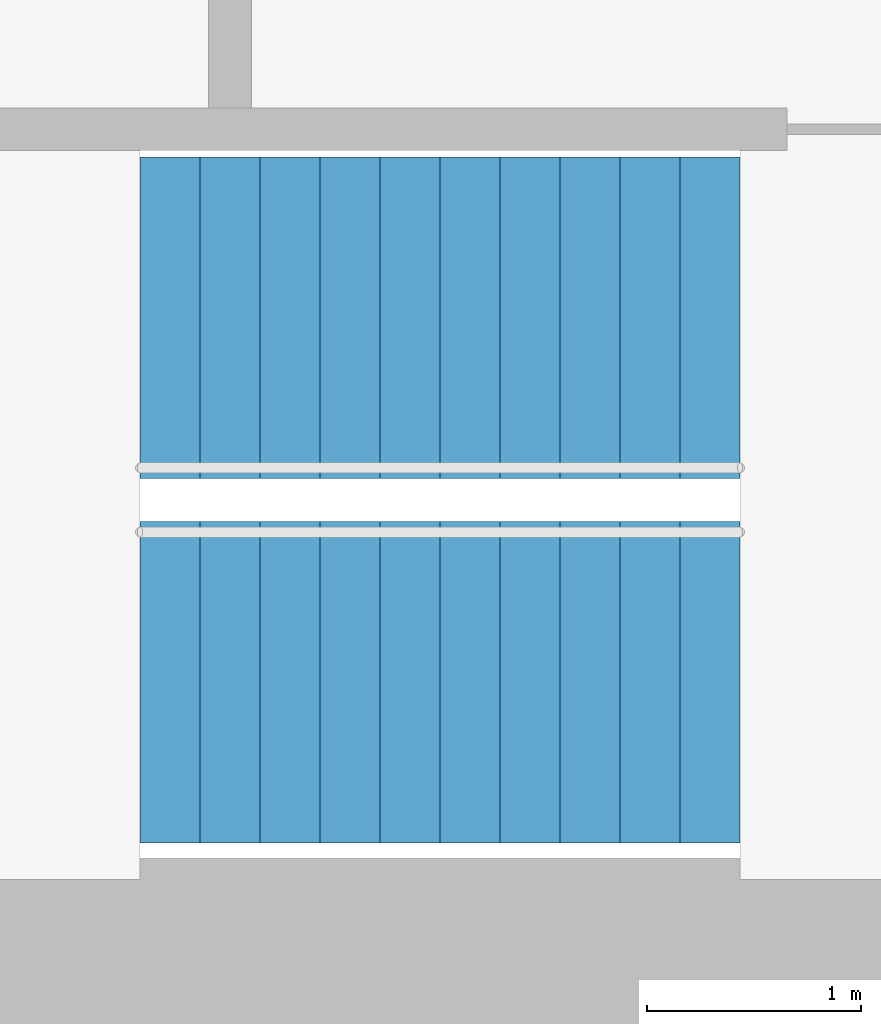
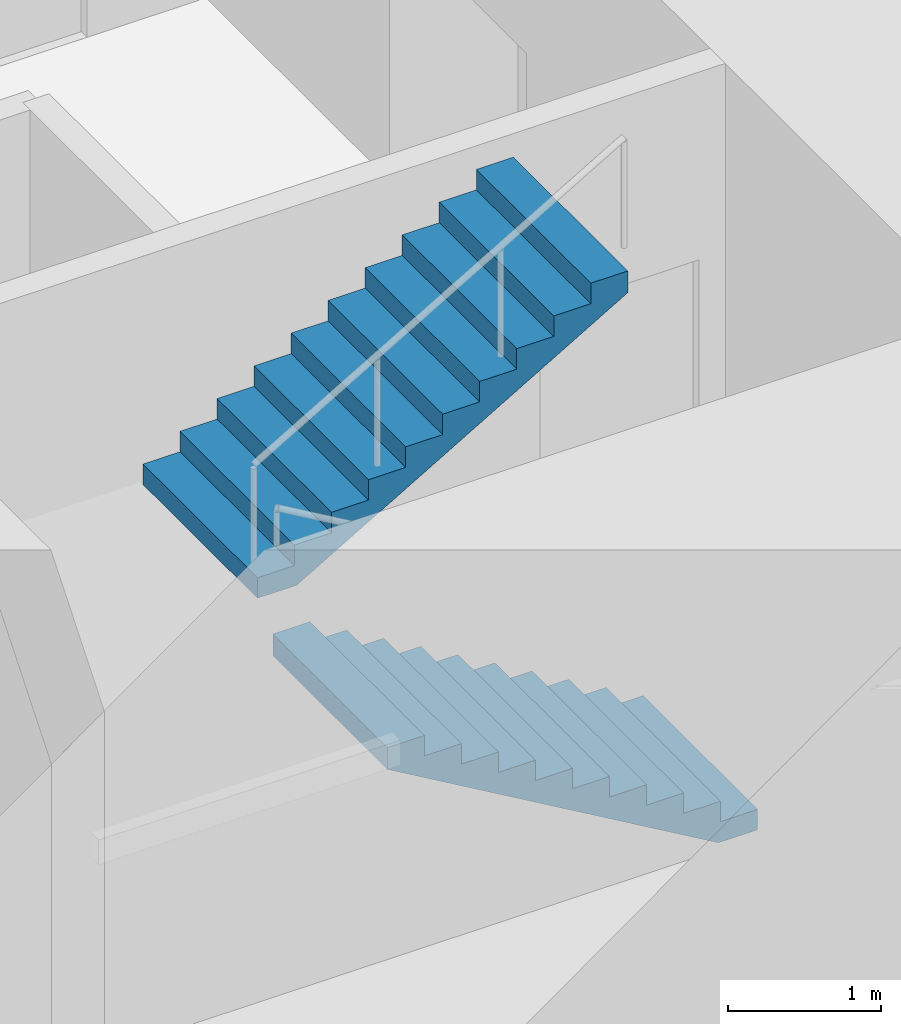
# One storey, part 14 of 15: 2 stair flights, 1 element without a shape of its own.
"""IFC4 building model written with IfcOpenShell, lengths in metres."""

from ifc_helpers import new_model, si_unit, direction, frame, origin, place, context, subcontext, project, spatial, triangles, material, type_object, element, aggregate, save


model = new_model("IFC4")

# Units and contexts
model_context = context("Model", 3, precision=1e-05, world=origin(), true_north=direction((0.0, 1.0)))
body_context = subcontext(model_context, "Body", "Model", "MODEL_VIEW")
ifc_project = project(units=[si_unit("LENGTHUNIT", "METRE"), si_unit("AREAUNIT", "SQUARE_METRE"), si_unit("VOLUMEUNIT", "CUBIC_METRE"), si_unit("PLANEANGLEUNIT", "RADIAN"), si_unit("MASSUNIT", "GRAM", prefix="KILO")], contexts=[model_context])

# Site, building, storey
site_placement = place(None, origin())
site = spatial("IfcSite", under=ifc_project, at=site_placement, CompositionType="ELEMENT")
building_placement = place(site_placement, origin())
building = spatial("IfcBuilding", under=site, at=building_placement, Name="Lantaw Convention Tower", CompositionType="ELEMENT")
storey_placement = place(building_placement, frame((0.0, 0.0, 62.199951171875)))
storey = spatial("IfcBuildingStorey", under=building, at=storey_placement, Name="L13", CompositionType="ELEMENT", Elevation=62.199951171875)

# Stair, stair flights
ifc_material = material(Name="Concrete C35/45", Category="concrete")
stair_type = type_object("IfcStairType", Name="Exit stair 1500 riser 163.64 in 2 flights", PredefinedType="HALF_TURN_STAIR", material=ifc_material)
stair_placement = place(storey_placement, origin())
stair = element("IfcStair", 1, at=stair_placement, inside=storey, type_object=stair_type, Name="Exit stair S2 L13", PredefinedType="HALF_TURN_STAIR")
stair_flight_type = type_object("IfcStairFlightType", Name="Stair flight 1500 riser 163.64", PredefinedType="STRAIGHT", material=ifc_material)
stair_flight_1_placement = place(storey_placement, frame((10.580078125, -5.97998046875, 0.0), z_axis=(0.0, 0.0, 1.0), x_axis=(-1.0, 0.0, 0.0)))
stair_flight_1 = element("IfcStairFlight", 2, at=stair_flight_1_placement, type_object=stair_flight_type, Name="S2 flight 1", NumberOfRisers=11, NumberOfTreads=10, PredefinedType="STRAIGHT", RiserHeight=0.163636364, TreadLength=0.28, context=body_context, shape_type="Tessellation", body=[
    triangles([(0.0, 0.75, 0.0), (0.0, 0.75, 0.163636364), (0.28, 0.75, 0.0), (0.28, 0.75, 0.163636364), (0.28, 0.75, 0.327272728), (0.2970904571225277, 0.75, 0.0), (0.2970904571225277, 0.75, 0.327272728), (0.56, 0.75, 0.1536484344906131), (0.56, 0.75, 0.327272728), (0.56, 0.75, 0.490909092), (0.8400000000000001, 0.75, 0.3172847984906131), (0.8400000000000001, 0.75, 0.490909092), (0.8400000000000001, 0.75, 0.654545456), (1.12, 0.75, 0.4809211624906131), (1.12, 0.75, 0.654545456), (1.12, 0.75, 0.8181818200000001), (1.4000000000000001, 0.75, 0.6445575264906132), (1.4000000000000001, 0.75, 0.8181818200000001), (1.4000000000000001, 0.75, 0.981818184), (1.6800000000000002, 0.75, 0.8081938904906131), (1.6800000000000002, 0.75, 0.981818184), (1.6800000000000002, 0.75, 1.145454548), (1.9600000000000002, 0.75, 0.9718302544906131), (1.9600000000000002, 0.75, 1.145454548), (1.9600000000000002, 0.75, 1.309090912), (2.24, 0.75, 1.135466618490613), (2.24, 0.75, 1.309090912), (2.24, 0.75, 1.472727276), (2.5200000000000005, 0.75, 1.2991029824906133), (2.5200000000000005, 0.75, 1.472727276), (2.5200000000000005, 0.75, 1.6363636400000001), (2.8000000000000003, 0.75, 1.462739346490613), (2.8000000000000003, 0.75, 1.6363636400000001), (0.0, -0.75, 0.0), (0.0, -0.75, 0.163636364), (0.28, -0.75, 0.0), (0.28, -0.75, 0.163636364), (0.28, -0.75, 0.327272728), (0.2970904571225277, -0.75, 0.0), (0.2970904571225277, -0.75, 0.327272728), (0.56, -0.75, 0.1536484344906131), (0.56, -0.75, 0.327272728), (0.56, -0.75, 0.490909092), (0.8400000000000001, -0.75, 0.3172847984906131), (0.8400000000000001, -0.75, 0.490909092), (0.8400000000000001, -0.75, 0.654545456), (1.12, -0.75, 0.4809211624906131), (1.12, -0.75, 0.654545456), (1.12, -0.75, 0.8181818200000001), (1.4000000000000001, -0.75, 0.6445575264906132), (1.4000000000000001, -0.75, 0.8181818200000001), (1.4000000000000001, -0.75, 0.981818184), (1.6800000000000002, -0.75, 0.8081938904906131), (1.6800000000000002, -0.75, 0.981818184), (1.6800000000000002, -0.75, 1.145454548), (1.9600000000000002, -0.75, 0.9718302544906131), (1.9600000000000002, -0.75, 1.145454548), (1.9600000000000002, -0.75, 1.309090912), (2.24, -0.75, 1.135466618490613), (2.24, -0.75, 1.309090912), (2.24, -0.75, 1.472727276), (2.5200000000000005, -0.75, 1.2991029824906133), (2.5200000000000005, -0.75, 1.472727276), (2.5200000000000005, -0.75, 1.6363636400000001), (2.8000000000000003, -0.75, 1.462739346490613), (2.8000000000000003, -0.75, 1.6363636400000001), (0.0, 0.15000000000000002, 0.163636364), (0.0, 0.15000000000000002, 0.0), (0.0, 0.0, 0.163636364), (0.0, 0.0, 0.0), (0.0, -0.15000000000000002, 0.163636364), (0.0, -0.15000000000000002, 0.0), (0.28, 0.15000000000000002, 0.327272728), (0.28, 0.15000000000000002, 0.163636364), (0.28, 0.0, 0.327272728), (0.28, 0.0, 0.163636364), (0.28, -0.15000000000000002, 0.327272728), (0.28, -0.15000000000000002, 0.163636364), (0.56, 0.15000000000000002, 0.490909092), (0.56, 0.15000000000000002, 0.327272728), (0.56, 0.0, 0.490909092), (0.56, 0.0, 0.327272728), (0.56, -0.15000000000000002, 0.490909092), (0.56, -0.15000000000000002, 0.327272728), (0.8400000000000001, 0.15000000000000002, 0.654545456), (0.8400000000000001, 0.15000000000000002, 0.490909092), (0.8400000000000001, 0.0, 0.654545456), (0.8400000000000001, 0.0, 0.490909092), (0.8400000000000001, -0.15000000000000002, 0.654545456), (0.8400000000000001, -0.15000000000000002, 0.490909092), (1.12, 0.15000000000000002, 0.8181818200000001), (1.12, 0.15000000000000002, 0.654545456), (1.12, 0.0, 0.8181818200000001), (1.12, 0.0, 0.654545456), (1.12, -0.15000000000000002, 0.8181818200000001), (1.12, -0.15000000000000002, 0.654545456), (1.4000000000000001, 0.15000000000000002, 0.981818184), (1.4000000000000001, 0.15000000000000002, 0.8181818200000001), (1.4000000000000001, 0.0, 0.981818184), (1.4000000000000001, 0.0, 0.8181818200000001), (1.4000000000000001, -0.15000000000000002, 0.981818184), (1.4000000000000001, -0.15000000000000002, 0.8181818200000001), (1.6800000000000002, 0.15000000000000002, 1.145454548), (1.6800000000000002, 0.15000000000000002, 0.981818184), (1.6800000000000002, 0.0, 1.145454548), (1.6800000000000002, 0.0, 0.981818184), (1.6800000000000002, -0.15000000000000002, 1.145454548), (1.6800000000000002, -0.15000000000000002, 0.981818184), (1.9600000000000002, 0.15000000000000002, 1.309090912), (1.9600000000000002, 0.15000000000000002, 1.145454548), (1.9600000000000002, 0.0, 1.309090912), (1.9600000000000002, 0.0, 1.145454548), (1.9600000000000002, -0.15000000000000002, 1.309090912), (1.9600000000000002, -0.15000000000000002, 1.145454548), (2.24, 0.15000000000000002, 1.472727276), (2.24, 0.15000000000000002, 1.309090912), (2.24, 0.0, 1.472727276), (2.24, 0.0, 1.309090912), (2.24, -0.15000000000000002, 1.472727276), (2.24, -0.15000000000000002, 1.309090912), (2.5200000000000005, 0.15000000000000002, 1.6363636400000001), (2.5200000000000005, 0.15000000000000002, 1.472727276), (2.5200000000000005, 0.0, 1.6363636400000001), (2.5200000000000005, 0.0, 1.472727276), (2.5200000000000005, -0.15000000000000002, 1.6363636400000001), (2.5200000000000005, -0.15000000000000002, 1.472727276), (0.2970904571225277, 0.15000000000000002, 0.327272728), (0.2970904571225277, 0.0, 0.327272728), (0.2970904571225277, -0.15000000000000002, 0.327272728), (2.8000000000000003, 0.15000000000000002, 1.6363636400000001), (2.8000000000000003, 0.0, 1.6363636400000001), (2.8000000000000003, -0.15000000000000002, 1.6363636400000001), (2.8000000000000003, 0.15000000000000002, 1.462739346490613), (2.8000000000000003, 0.0, 1.462739346490613), (2.8000000000000003, -0.15000000000000002, 1.462739346490613), (2.5200000000000005, 0.15000000000000002, 1.2991029824906133), (2.5200000000000005, 0.0, 1.2991029824906133), (2.5200000000000005, -0.15000000000000002, 1.2991029824906133), (2.24, 0.15000000000000002, 1.135466618490613), (2.24, 0.0, 1.135466618490613), (2.24, -0.15000000000000002, 1.135466618490613), (1.9600000000000002, 0.15000000000000002, 0.9718302544906131), (1.9600000000000002, 0.0, 0.9718302544906131), (1.9600000000000002, -0.15000000000000002, 0.9718302544906131), (1.6800000000000002, 0.15000000000000002, 0.8081938904906131), (1.6800000000000002, 0.0, 0.8081938904906131), (1.6800000000000002, -0.15000000000000002, 0.8081938904906131), (1.4000000000000001, 0.15000000000000002, 0.6445575264906132), (1.4000000000000001, 0.0, 0.6445575264906132), (1.4000000000000001, -0.15000000000000002, 0.6445575264906132), (1.12, 0.15000000000000002, 0.4809211624906131), (1.12, 0.0, 0.4809211624906131), (1.12, -0.15000000000000002, 0.4809211624906131), (0.8400000000000001, 0.15000000000000002, 0.3172847984906131), (0.8400000000000001, 0.0, 0.3172847984906131), (0.8400000000000001, -0.15000000000000002, 0.3172847984906131), (0.56, 0.15000000000000002, 0.1536484344906131), (0.56, 0.0, 0.1536484344906131), (0.56, -0.15000000000000002, 0.1536484344906131), (0.2970904571225277, 0.15000000000000002, 0.0), (0.2970904571225277, 0.0, 0.0), (0.2970904571225277, -0.15000000000000002, 0.0), (0.28, 0.15000000000000002, 0.0), (0.28, 0.0, 0.0), (0.28, -0.15000000000000002, 0.0)], [[1, 4, 3], [1, 2, 4], [3, 4, 6], [4, 7, 6], [4, 5, 7], [6, 9, 8], [6, 7, 9], [8, 9, 11], [9, 12, 11], [9, 10, 12], [11, 12, 14], [12, 15, 14], [12, 13, 15], [14, 15, 17], [15, 18, 17], [15, 16, 18], [17, 18, 20], [18, 21, 20], [18, 19, 21], [20, 21, 23], [21, 24, 23], [21, 22, 24], [23, 24, 26], [24, 27, 26], [24, 25, 27], [26, 27, 29], [27, 30, 29], [27, 28, 30], [29, 30, 32], [30, 33, 32], [30, 31, 33], [34, 36, 37], [34, 37, 35], [36, 39, 37], [37, 39, 40], [37, 40, 38], [39, 41, 42], [39, 42, 40], [41, 44, 42], [42, 44, 45], [42, 45, 43], [44, 47, 45], [45, 47, 48], [45, 48, 46], [47, 50, 48], [48, 50, 51], [48, 51, 49], [50, 53, 51], [51, 53, 54], [51, 54, 52], [53, 56, 54], [54, 56, 57], [54, 57, 55], [56, 59, 57], [57, 59, 60], [57, 60, 58], [59, 62, 60], [60, 62, 63], [60, 63, 61], [62, 65, 63], [63, 65, 66], [63, 66, 64], [1, 67, 2], [1, 68, 67], [68, 69, 67], [68, 70, 69], [70, 71, 69], [70, 72, 71], [72, 35, 71], [72, 34, 35], [4, 73, 5], [4, 74, 73], [74, 75, 73], [74, 76, 75], [76, 77, 75], [76, 78, 77], [78, 38, 77], [78, 37, 38], [9, 79, 10], [9, 80, 79], [80, 81, 79], [80, 82, 81], [82, 83, 81], [82, 84, 83], [84, 43, 83], [84, 42, 43], [12, 85, 13], [12, 86, 85], [86, 87, 85], [86, 88, 87], [88, 89, 87], [88, 90, 89], [90, 46, 89], [90, 45, 46], [15, 91, 16], [15, 92, 91], [92, 93, 91], [92, 94, 93], [94, 95, 93], [94, 96, 95], [96, 49, 95], [96, 48, 49], [18, 97, 19], [18, 98, 97], [98, 99, 97], [98, 100, 99], [100, 101, 99], [100, 102, 101], [102, 52, 101], [102, 51, 52], [21, 103, 22], [21, 104, 103], [104, 105, 103], [104, 106, 105], [106, 107, 105], [106, 108, 107], [108, 55, 107], [108, 54, 55], [24, 109, 25], [24, 110, 109], [110, 111, 109], [110, 112, 111], [112, 113, 111], [112, 114, 113], [114, 58, 113], [114, 57, 58], [27, 115, 28], [27, 116, 115], [116, 117, 115], [116, 118, 117], [118, 119, 117], [118, 120, 119], [120, 61, 119], [120, 60, 61], [30, 121, 31], [30, 122, 121], [122, 123, 121], [122, 124, 123], [124, 125, 123], [124, 126, 125], [126, 64, 125], [126, 63, 64], [2, 74, 4], [2, 67, 74], [67, 76, 74], [67, 69, 76], [69, 78, 76], [69, 71, 78], [71, 37, 78], [71, 35, 37], [5, 127, 7], [5, 73, 127], [73, 128, 127], [73, 75, 128], [75, 129, 128], [75, 77, 129], [77, 40, 129], [77, 38, 40], [7, 80, 9], [7, 127, 80], [127, 82, 80], [127, 128, 82], [128, 84, 82], [128, 129, 84], [129, 42, 84], [129, 40, 42], [10, 86, 12], [10, 79, 86], [79, 88, 86], [79, 81, 88], [81, 90, 88], [81, 83, 90], [83, 45, 90], [83, 43, 45], [13, 92, 15], [13, 85, 92], [85, 94, 92], [85, 87, 94], [87, 96, 94], [87, 89, 96], [89, 48, 96], [89, 46, 48], [16, 98, 18], [16, 91, 98], [91, 100, 98], [91, 93, 100], [93, 102, 100], [93, 95, 102], [95, 51, 102], [95, 49, 51], [19, 104, 21], [19, 97, 104], [97, 106, 104], [97, 99, 106], [99, 108, 106], [99, 101, 108], [101, 54, 108], [101, 52, 54], [22, 110, 24], [22, 103, 110], [103, 112, 110], [103, 105, 112], [105, 114, 112], [105, 107, 114], [107, 57, 114], [107, 55, 57], [25, 116, 27], [25, 109, 116], [109, 118, 116], [109, 111, 118], [111, 120, 118], [111, 113, 120], [113, 60, 120], [113, 58, 60], [28, 122, 30], [28, 115, 122], [115, 124, 122], [115, 117, 124], [117, 126, 124], [117, 119, 126], [119, 63, 126], [119, 61, 63], [31, 130, 33], [31, 121, 130], [121, 131, 130], [121, 123, 131], [123, 132, 131], [123, 125, 132], [125, 66, 132], [125, 64, 66], [33, 133, 32], [33, 130, 133], [130, 134, 133], [130, 131, 134], [131, 135, 134], [131, 132, 135], [132, 65, 135], [132, 66, 65], [32, 136, 29], [32, 133, 136], [133, 137, 136], [133, 134, 137], [134, 138, 137], [134, 135, 138], [135, 62, 138], [135, 65, 62], [29, 139, 26], [29, 136, 139], [136, 140, 139], [136, 137, 140], [137, 141, 140], [137, 138, 141], [138, 59, 141], [138, 62, 59], [26, 142, 23], [26, 139, 142], [139, 143, 142], [139, 140, 143], [140, 144, 143], [140, 141, 144], [141, 56, 144], [141, 59, 56], [23, 145, 20], [23, 142, 145], [142, 146, 145], [142, 143, 146], [143, 147, 146], [143, 144, 147], [144, 53, 147], [144, 56, 53], [20, 148, 17], [20, 145, 148], [145, 149, 148], [145, 146, 149], [146, 150, 149], [146, 147, 150], [147, 50, 150], [147, 53, 50], [17, 151, 14], [17, 148, 151], [148, 152, 151], [148, 149, 152], [149, 153, 152], [149, 150, 153], [150, 47, 153], [150, 50, 47], [14, 154, 11], [14, 151, 154], [151, 155, 154], [151, 152, 155], [152, 156, 155], [152, 153, 156], [153, 44, 156], [153, 47, 44], [11, 157, 8], [11, 154, 157], [154, 158, 157], [154, 155, 158], [155, 159, 158], [155, 156, 159], [156, 41, 159], [156, 44, 41], [8, 160, 6], [8, 157, 160], [157, 161, 160], [157, 158, 161], [158, 162, 161], [158, 159, 162], [159, 39, 162], [159, 41, 39], [6, 163, 3], [6, 160, 163], [160, 164, 163], [160, 161, 164], [161, 165, 164], [161, 162, 165], [162, 36, 165], [162, 39, 36], [3, 68, 1], [3, 163, 68], [163, 70, 68], [163, 164, 70], [164, 72, 70], [164, 165, 72], [165, 34, 72], [165, 36, 34]], closed=True),
])
stair_flight_2_placement = place(storey_placement, frame((7.780029296875, -4.280029296875, 1.800048828125), z_axis=(0.0, 0.0, 1.0), x_axis=(1.0, 0.0, 0.0)))
stair_flight_2 = element("IfcStairFlight", 3, at=stair_flight_2_placement, type_object=stair_flight_type, Name="S2 flight 2", NumberOfRisers=11, NumberOfTreads=10, PredefinedType="STRAIGHT", RiserHeight=0.163636364, TreadLength=0.28, context=body_context, shape_type="Tessellation", body=[
    triangles([(0.0, 0.75, 0.0), (0.0, 0.75, 0.163636364), (0.28, 0.75, 0.0), (0.28, 0.75, 0.163636364), (0.28, 0.75, 0.327272728), (0.2970904571225277, 0.75, 0.0), (0.2970904571225277, 0.75, 0.327272728), (0.56, 0.75, 0.1536484344906131), (0.56, 0.75, 0.327272728), (0.56, 0.75, 0.490909092), (0.8400000000000001, 0.75, 0.3172847984906131), (0.8400000000000001, 0.75, 0.490909092), (0.8400000000000001, 0.75, 0.654545456), (1.12, 0.75, 0.4809211624906131), (1.12, 0.75, 0.654545456), (1.12, 0.75, 0.8181818200000001), (1.4000000000000001, 0.75, 0.6445575264906132), (1.4000000000000001, 0.75, 0.8181818200000001), (1.4000000000000001, 0.75, 0.981818184), (1.6800000000000002, 0.75, 0.8081938904906131), (1.6800000000000002, 0.75, 0.981818184), (1.6800000000000002, 0.75, 1.145454548), (1.9600000000000002, 0.75, 0.9718302544906131), (1.9600000000000002, 0.75, 1.145454548), (1.9600000000000002, 0.75, 1.309090912), (2.24, 0.75, 1.135466618490613), (2.24, 0.75, 1.309090912), (2.24, 0.75, 1.472727276), (2.5200000000000005, 0.75, 1.2991029824906133), (2.5200000000000005, 0.75, 1.472727276), (2.5200000000000005, 0.75, 1.6363636400000001), (2.8000000000000003, 0.75, 1.462739346490613), (2.8000000000000003, 0.75, 1.6363636400000001), (0.0, -0.75, 0.0), (0.0, -0.75, 0.163636364), (0.28, -0.75, 0.0), (0.28, -0.75, 0.163636364), (0.28, -0.75, 0.327272728), (0.2970904571225277, -0.75, 0.0), (0.2970904571225277, -0.75, 0.327272728), (0.56, -0.75, 0.1536484344906131), (0.56, -0.75, 0.327272728), (0.56, -0.75, 0.490909092), (0.8400000000000001, -0.75, 0.3172847984906131), (0.8400000000000001, -0.75, 0.490909092), (0.8400000000000001, -0.75, 0.654545456), (1.12, -0.75, 0.4809211624906131), (1.12, -0.75, 0.654545456), (1.12, -0.75, 0.8181818200000001), (1.4000000000000001, -0.75, 0.6445575264906132), (1.4000000000000001, -0.75, 0.8181818200000001), (1.4000000000000001, -0.75, 0.981818184), (1.6800000000000002, -0.75, 0.8081938904906131), (1.6800000000000002, -0.75, 0.981818184), (1.6800000000000002, -0.75, 1.145454548), (1.9600000000000002, -0.75, 0.9718302544906131), (1.9600000000000002, -0.75, 1.145454548), (1.9600000000000002, -0.75, 1.309090912), (2.24, -0.75, 1.135466618490613), (2.24, -0.75, 1.309090912), (2.24, -0.75, 1.472727276), (2.5200000000000005, -0.75, 1.2991029824906133), (2.5200000000000005, -0.75, 1.472727276), (2.5200000000000005, -0.75, 1.6363636400000001), (2.8000000000000003, -0.75, 1.462739346490613), (2.8000000000000003, -0.75, 1.6363636400000001), (0.0, 0.15000000000000002, 0.163636364), (0.0, 0.15000000000000002, 0.0), (0.0, 0.0, 0.163636364), (0.0, 0.0, 0.0), (0.0, -0.15000000000000002, 0.163636364), (0.0, -0.15000000000000002, 0.0), (0.28, 0.15000000000000002, 0.327272728), (0.28, 0.15000000000000002, 0.163636364), (0.28, 0.0, 0.327272728), (0.28, 0.0, 0.163636364), (0.28, -0.15000000000000002, 0.327272728), (0.28, -0.15000000000000002, 0.163636364), (0.56, 0.15000000000000002, 0.490909092), (0.56, 0.15000000000000002, 0.327272728), (0.56, 0.0, 0.490909092), (0.56, 0.0, 0.327272728), (0.56, -0.15000000000000002, 0.490909092), (0.56, -0.15000000000000002, 0.327272728), (0.8400000000000001, 0.15000000000000002, 0.654545456), (0.8400000000000001, 0.15000000000000002, 0.490909092), (0.8400000000000001, 0.0, 0.654545456), (0.8400000000000001, 0.0, 0.490909092), (0.8400000000000001, -0.15000000000000002, 0.654545456), (0.8400000000000001, -0.15000000000000002, 0.490909092), (1.12, 0.15000000000000002, 0.8181818200000001), (1.12, 0.15000000000000002, 0.654545456), (1.12, 0.0, 0.8181818200000001), (1.12, 0.0, 0.654545456), (1.12, -0.15000000000000002, 0.8181818200000001), (1.12, -0.15000000000000002, 0.654545456), (1.4000000000000001, 0.15000000000000002, 0.981818184), (1.4000000000000001, 0.15000000000000002, 0.8181818200000001), (1.4000000000000001, 0.0, 0.981818184), (1.4000000000000001, 0.0, 0.8181818200000001), (1.4000000000000001, -0.15000000000000002, 0.981818184), (1.4000000000000001, -0.15000000000000002, 0.8181818200000001), (1.6800000000000002, 0.15000000000000002, 1.145454548), (1.6800000000000002, 0.15000000000000002, 0.981818184), (1.6800000000000002, 0.0, 1.145454548), (1.6800000000000002, 0.0, 0.981818184), (1.6800000000000002, -0.15000000000000002, 1.145454548), (1.6800000000000002, -0.15000000000000002, 0.981818184), (1.9600000000000002, 0.15000000000000002, 1.309090912), (1.9600000000000002, 0.15000000000000002, 1.145454548), (1.9600000000000002, 0.0, 1.309090912), (1.9600000000000002, 0.0, 1.145454548), (1.9600000000000002, -0.15000000000000002, 1.309090912), (1.9600000000000002, -0.15000000000000002, 1.145454548), (2.24, 0.15000000000000002, 1.472727276), (2.24, 0.15000000000000002, 1.309090912), (2.24, 0.0, 1.472727276), (2.24, 0.0, 1.309090912), (2.24, -0.15000000000000002, 1.472727276), (2.24, -0.15000000000000002, 1.309090912), (2.5200000000000005, 0.15000000000000002, 1.6363636400000001), (2.5200000000000005, 0.15000000000000002, 1.472727276), (2.5200000000000005, 0.0, 1.6363636400000001), (2.5200000000000005, 0.0, 1.472727276), (2.5200000000000005, -0.15000000000000002, 1.6363636400000001), (2.5200000000000005, -0.15000000000000002, 1.472727276), (0.2970904571225277, 0.15000000000000002, 0.327272728), (0.2970904571225277, 0.0, 0.327272728), (0.2970904571225277, -0.15000000000000002, 0.327272728), (2.8000000000000003, 0.15000000000000002, 1.6363636400000001), (2.8000000000000003, 0.0, 1.6363636400000001), (2.8000000000000003, -0.15000000000000002, 1.6363636400000001), (2.8000000000000003, 0.15000000000000002, 1.462739346490613), (2.8000000000000003, 0.0, 1.462739346490613), (2.8000000000000003, -0.15000000000000002, 1.462739346490613), (2.5200000000000005, 0.15000000000000002, 1.2991029824906133), (2.5200000000000005, 0.0, 1.2991029824906133), (2.5200000000000005, -0.15000000000000002, 1.2991029824906133), (2.24, 0.15000000000000002, 1.135466618490613), (2.24, 0.0, 1.135466618490613), (2.24, -0.15000000000000002, 1.135466618490613), (1.9600000000000002, 0.15000000000000002, 0.9718302544906131), (1.9600000000000002, 0.0, 0.9718302544906131), (1.9600000000000002, -0.15000000000000002, 0.9718302544906131), (1.6800000000000002, 0.15000000000000002, 0.8081938904906131), (1.6800000000000002, 0.0, 0.8081938904906131), (1.6800000000000002, -0.15000000000000002, 0.8081938904906131), (1.4000000000000001, 0.15000000000000002, 0.6445575264906132), (1.4000000000000001, 0.0, 0.6445575264906132), (1.4000000000000001, -0.15000000000000002, 0.6445575264906132), (1.12, 0.15000000000000002, 0.4809211624906131), (1.12, 0.0, 0.4809211624906131), (1.12, -0.15000000000000002, 0.4809211624906131), (0.8400000000000001, 0.15000000000000002, 0.3172847984906131), (0.8400000000000001, 0.0, 0.3172847984906131), (0.8400000000000001, -0.15000000000000002, 0.3172847984906131), (0.56, 0.15000000000000002, 0.1536484344906131), (0.56, 0.0, 0.1536484344906131), (0.56, -0.15000000000000002, 0.1536484344906131), (0.2970904571225277, 0.15000000000000002, 0.0), (0.2970904571225277, 0.0, 0.0), (0.2970904571225277, -0.15000000000000002, 0.0), (0.28, 0.15000000000000002, 0.0), (0.28, 0.0, 0.0), (0.28, -0.15000000000000002, 0.0)], [[1, 4, 3], [1, 2, 4], [3, 4, 6], [4, 7, 6], [4, 5, 7], [6, 9, 8], [6, 7, 9], [8, 9, 11], [9, 12, 11], [9, 10, 12], [11, 12, 14], [12, 15, 14], [12, 13, 15], [14, 15, 17], [15, 18, 17], [15, 16, 18], [17, 18, 20], [18, 21, 20], [18, 19, 21], [20, 21, 23], [21, 24, 23], [21, 22, 24], [23, 24, 26], [24, 27, 26], [24, 25, 27], [26, 27, 29], [27, 30, 29], [27, 28, 30], [29, 30, 32], [30, 33, 32], [30, 31, 33], [34, 36, 37], [34, 37, 35], [36, 39, 37], [37, 39, 40], [37, 40, 38], [39, 41, 42], [39, 42, 40], [41, 44, 42], [42, 44, 45], [42, 45, 43], [44, 47, 45], [45, 47, 48], [45, 48, 46], [47, 50, 48], [48, 50, 51], [48, 51, 49], [50, 53, 51], [51, 53, 54], [51, 54, 52], [53, 56, 54], [54, 56, 57], [54, 57, 55], [56, 59, 57], [57, 59, 60], [57, 60, 58], [59, 62, 60], [60, 62, 63], [60, 63, 61], [62, 65, 63], [63, 65, 66], [63, 66, 64], [1, 67, 2], [1, 68, 67], [68, 69, 67], [68, 70, 69], [70, 71, 69], [70, 72, 71], [72, 35, 71], [72, 34, 35], [4, 73, 5], [4, 74, 73], [74, 75, 73], [74, 76, 75], [76, 77, 75], [76, 78, 77], [78, 38, 77], [78, 37, 38], [9, 79, 10], [9, 80, 79], [80, 81, 79], [80, 82, 81], [82, 83, 81], [82, 84, 83], [84, 43, 83], [84, 42, 43], [12, 85, 13], [12, 86, 85], [86, 87, 85], [86, 88, 87], [88, 89, 87], [88, 90, 89], [90, 46, 89], [90, 45, 46], [15, 91, 16], [15, 92, 91], [92, 93, 91], [92, 94, 93], [94, 95, 93], [94, 96, 95], [96, 49, 95], [96, 48, 49], [18, 97, 19], [18, 98, 97], [98, 99, 97], [98, 100, 99], [100, 101, 99], [100, 102, 101], [102, 52, 101], [102, 51, 52], [21, 103, 22], [21, 104, 103], [104, 105, 103], [104, 106, 105], [106, 107, 105], [106, 108, 107], [108, 55, 107], [108, 54, 55], [24, 109, 25], [24, 110, 109], [110, 111, 109], [110, 112, 111], [112, 113, 111], [112, 114, 113], [114, 58, 113], [114, 57, 58], [27, 115, 28], [27, 116, 115], [116, 117, 115], [116, 118, 117], [118, 119, 117], [118, 120, 119], [120, 61, 119], [120, 60, 61], [30, 121, 31], [30, 122, 121], [122, 123, 121], [122, 124, 123], [124, 125, 123], [124, 126, 125], [126, 64, 125], [126, 63, 64], [2, 74, 4], [2, 67, 74], [67, 76, 74], [67, 69, 76], [69, 78, 76], [69, 71, 78], [71, 37, 78], [71, 35, 37], [5, 127, 7], [5, 73, 127], [73, 128, 127], [73, 75, 128], [75, 129, 128], [75, 77, 129], [77, 40, 129], [77, 38, 40], [7, 80, 9], [7, 127, 80], [127, 82, 80], [127, 128, 82], [128, 84, 82], [128, 129, 84], [129, 42, 84], [129, 40, 42], [10, 86, 12], [10, 79, 86], [79, 88, 86], [79, 81, 88], [81, 90, 88], [81, 83, 90], [83, 45, 90], [83, 43, 45], [13, 92, 15], [13, 85, 92], [85, 94, 92], [85, 87, 94], [87, 96, 94], [87, 89, 96], [89, 48, 96], [89, 46, 48], [16, 98, 18], [16, 91, 98], [91, 100, 98], [91, 93, 100], [93, 102, 100], [93, 95, 102], [95, 51, 102], [95, 49, 51], [19, 104, 21], [19, 97, 104], [97, 106, 104], [97, 99, 106], [99, 108, 106], [99, 101, 108], [101, 54, 108], [101, 52, 54], [22, 110, 24], [22, 103, 110], [103, 112, 110], [103, 105, 112], [105, 114, 112], [105, 107, 114], [107, 57, 114], [107, 55, 57], [25, 116, 27], [25, 109, 116], [109, 118, 116], [109, 111, 118], [111, 120, 118], [111, 113, 120], [113, 60, 120], [113, 58, 60], [28, 122, 30], [28, 115, 122], [115, 124, 122], [115, 117, 124], [117, 126, 124], [117, 119, 126], [119, 63, 126], [119, 61, 63], [31, 130, 33], [31, 121, 130], [121, 131, 130], [121, 123, 131], [123, 132, 131], [123, 125, 132], [125, 66, 132], [125, 64, 66], [33, 133, 32], [33, 130, 133], [130, 134, 133], [130, 131, 134], [131, 135, 134], [131, 132, 135], [132, 65, 135], [132, 66, 65], [32, 136, 29], [32, 133, 136], [133, 137, 136], [133, 134, 137], [134, 138, 137], [134, 135, 138], [135, 62, 138], [135, 65, 62], [29, 139, 26], [29, 136, 139], [136, 140, 139], [136, 137, 140], [137, 141, 140], [137, 138, 141], [138, 59, 141], [138, 62, 59], [26, 142, 23], [26, 139, 142], [139, 143, 142], [139, 140, 143], [140, 144, 143], [140, 141, 144], [141, 56, 144], [141, 59, 56], [23, 145, 20], [23, 142, 145], [142, 146, 145], [142, 143, 146], [143, 147, 146], [143, 144, 147], [144, 53, 147], [144, 56, 53], [20, 148, 17], [20, 145, 148], [145, 149, 148], [145, 146, 149], [146, 150, 149], [146, 147, 150], [147, 50, 150], [147, 53, 50], [17, 151, 14], [17, 148, 151], [148, 152, 151], [148, 149, 152], [149, 153, 152], [149, 150, 153], [150, 47, 153], [150, 50, 47], [14, 154, 11], [14, 151, 154], [151, 155, 154], [151, 152, 155], [152, 156, 155], [152, 153, 156], [153, 44, 156], [153, 47, 44], [11, 157, 8], [11, 154, 157], [154, 158, 157], [154, 155, 158], [155, 159, 158], [155, 156, 159], [156, 41, 159], [156, 44, 41], [8, 160, 6], [8, 157, 160], [157, 161, 160], [157, 158, 161], [158, 162, 161], [158, 159, 162], [159, 39, 162], [159, 41, 39], [6, 163, 3], [6, 160, 163], [160, 164, 163], [160, 161, 164], [161, 165, 164], [161, 162, 165], [162, 36, 165], [162, 39, 36], [3, 68, 1], [3, 163, 68], [163, 70, 68], [163, 164, 70], [164, 72, 70], [164, 165, 72], [165, 34, 72], [165, 36, 34]], closed=True),
])
aggregate(stair, [stair_flight_1, stair_flight_2])

save(model, "model.ifc")
